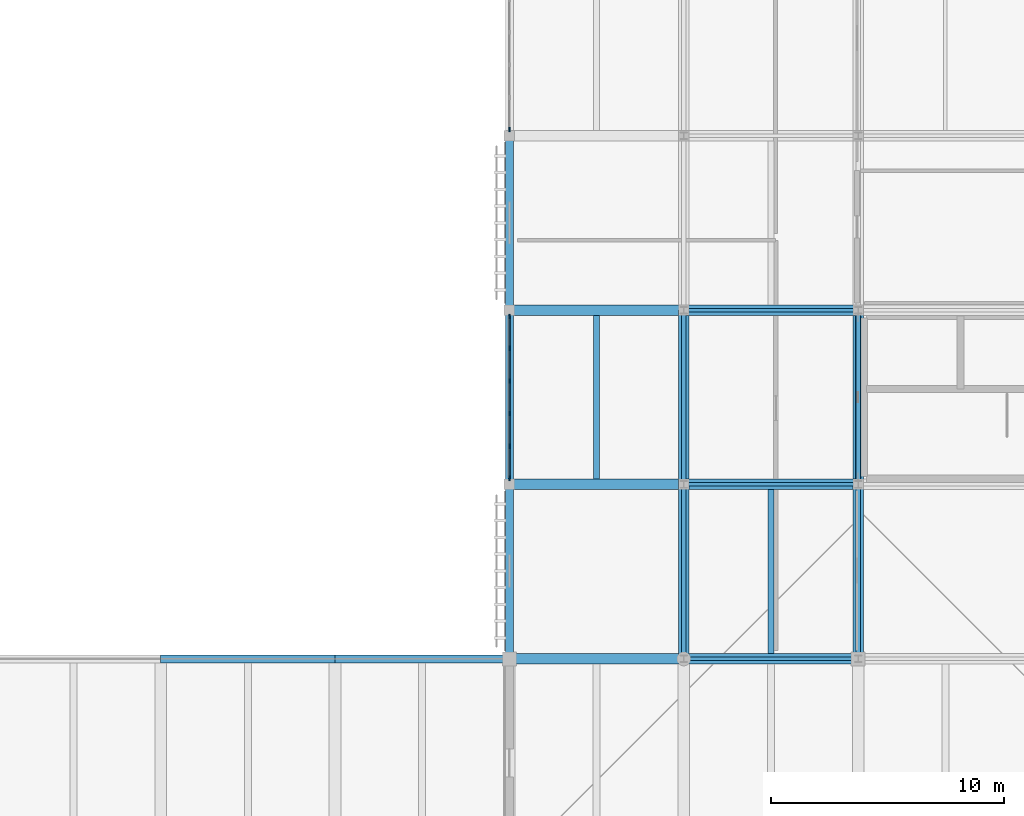
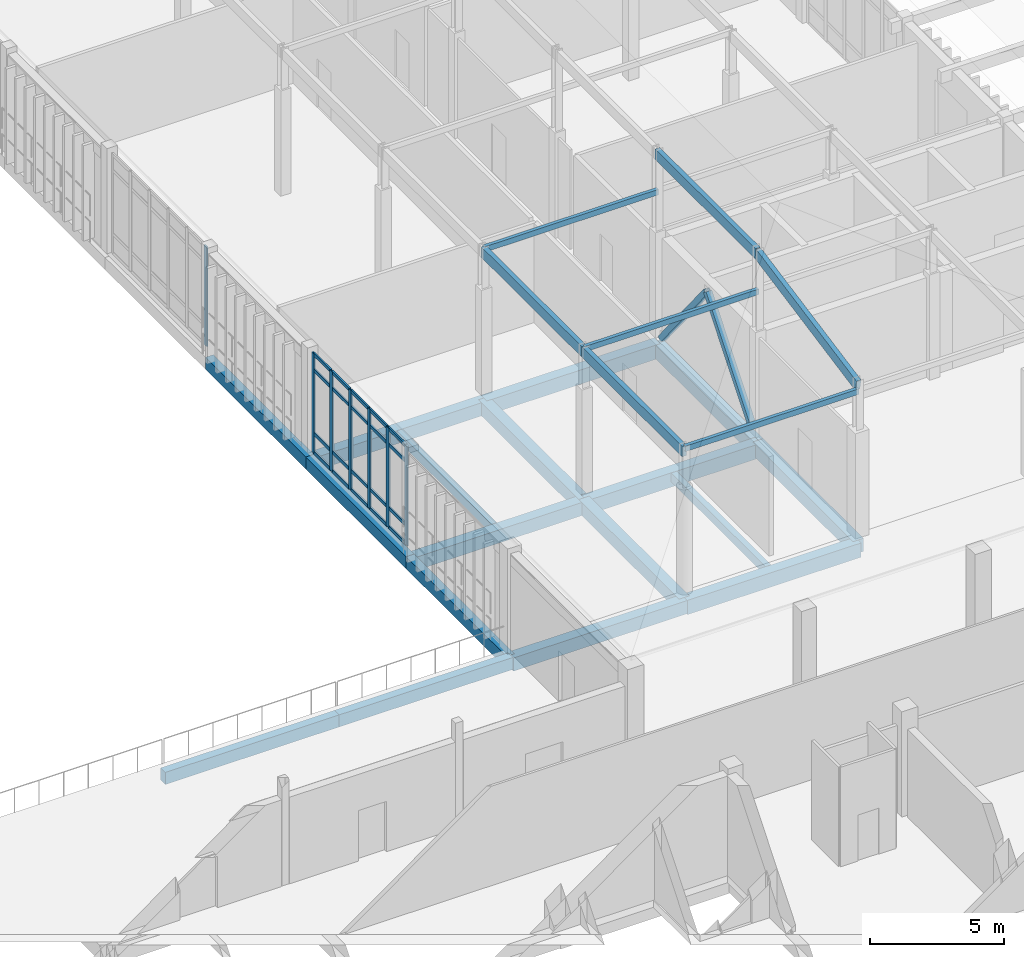
# One storey, part 66 of 131: 32 members, 21 beams, 2 elements without a shape of their own.
"""IFC4 building model written with IfcOpenShell, lengths in metres."""

from ifc_helpers import new_model, si_unit, direction, frame, origin, origin_2d, place, context, subcontext, project, spatial, rectangle, hollow_rectangle, extrude, material, layer, layer_set, material_profile, profile_set, type_object, element, aggregate, save


model = new_model("IFC4")

# Units and contexts
model_context = context("Model", 3, precision=1e-05, world=origin(), true_north=direction((0.0, 1.0)))
body_context = subcontext(model_context, "Body", "Model", "MODEL_VIEW")
ifc_project = project(units=[si_unit("LENGTHUNIT", "METRE"), si_unit("AREAUNIT", "SQUARE_METRE"), si_unit("VOLUMEUNIT", "CUBIC_METRE"), si_unit("PLANEANGLEUNIT", "RADIAN"), si_unit("MASSUNIT", "GRAM", prefix="KILO")], contexts=[model_context])

# Site, building, storey
site_placement = place(None, origin())
site = spatial("IfcSite", under=ifc_project, at=site_placement, CompositionType="ELEMENT")
building_placement = place(site_placement, origin())
building = spatial("IfcBuilding", under=site, at=building_placement, Name="Dalvernix Boulevard General Hospital", CompositionType="ELEMENT")
storey_placement = place(building_placement, frame((0.0, 0.0, 9.300048828125)))
storey = spatial("IfcBuildingStorey", under=building, at=storey_placement, Name="L02", CompositionType="ELEMENT", Elevation=9.300048828125)

# Beams
ifc_material_1 = material(Name="Concrete C35/45", Category="concrete")
ifc_material_profile_1 = material_profile(ifc_material_1, rectangle(XDim=0.449951171875, YDim=0.64990234375, at=origin_2d()), Name="RCB 450x650")
ifc_profile_set_1 = profile_set([ifc_material_profile_1], Name="Concrete C35/45")
beam_type_1 = type_object("IfcBeamType", Name="BM-B-03-I", PredefinedType="BEAM", material=ifc_profile_set_1)
for number, where, z_axis, x_axis, name in (
    (1, (150.0, 31.5, -0.64501953125), (1.0, 0.0, 0.0), (0.0, 1.0, 0.0), "L02 E-W girder E:21-22"),
    (2, (150.0, 39.0, -0.64501953125), (1.0, 0.0, 0.0), (0.0, 1.0, 0.0), "L02 E-W girder F:21-22"),
    (3, (150.0, 46.5, -0.64501953125), (1.0, 0.0, 0.0), (0.0, 1.0, 0.0), "L02 E-W girder G:21-22"),
):
    element("IfcBeam", number, at=place(storey_placement, frame(where, z_axis=z_axis, x_axis=x_axis)), inside=storey, type_object=beam_type_1, Name=name, PredefinedType="BEAM", context=body_context, shape_type="SweptSolid", body=[
        extrude(rectangle(XDim=0.449951171875, YDim=0.64990234375, at=origin_2d()), origin(), (0.0, 0.0, 1.0), 7.5),
    ])
ifc_material_profile_2 = material_profile(ifc_material_1, rectangle(XDim=0.449951171875, YDim=0.60009765625, at=origin_2d()), Name="RCB 450x600")
ifc_profile_set_2 = profile_set([ifc_material_profile_2], Name="Concrete C35/45")
beam_type_2 = type_object("IfcBeamType", Name="BM-B-04-I", PredefinedType="BEAM", material=ifc_profile_set_2)
for number, where, z_axis, x_axis, name in (
    (4, (142.5, 31.5, -0.6201171875), (1.0, 0.0, 0.0), (0.0, 1.0, 0.0), "L02 E-W girder E:20-21"),
    (5, (142.5, 39.0, -0.6201171875), (1.0, 0.0, 0.0), (0.0, 1.0, 0.0), "L02 E-W girder F:20-21"),
    (6, (142.5, 46.5, -0.6201171875), (1.0, 0.0, 0.0), (0.0, 1.0, 0.0), "L02 E-W girder G:20-21"),
    (7, (150.0, 31.5, -0.6201171875), (0.0, 1.0, 0.0), (-1.0, 0.0, 0.0), "L02 N-S girder 21:E-F"),
    (8, (150.0, 39.0, -0.6201171875), (0.0, 1.0, 0.0), (-1.0, 0.0, 0.0), "L02 N-S girder 21:F-G"),
    (9, (157.5, 31.5, -0.6201171875), (0.0, 1.0, 0.0), (-1.0, 0.0, 0.0), "L02 N-S girder 22:E-F"),
    (10, (157.5, 39.0, -0.6201171875), (0.0, 1.0, 0.0), (-1.0, 0.0, 0.0), "L02 N-S girder 22:F-G"),
):
    element("IfcBeam", number, at=place(storey_placement, frame(where, z_axis=z_axis, x_axis=x_axis)), inside=storey, type_object=beam_type_2, Name=name, PredefinedType="BEAM", context=body_context, shape_type="SweptSolid", body=[
        extrude(rectangle(XDim=0.449951171875, YDim=0.60009765625, at=origin_2d()), origin(), (0.0, 0.0, 1.0), 7.5),
    ])
ifc_material_2 = material(Name="Glulam GL28h", Category="wood")
ifc_material_profile_3 = material_profile(ifc_material_2, rectangle(XDim=0.199951171875, YDim=0.47998046875, at=origin_2d()), Name="GL28h 200x480")
ifc_profile_set_3 = profile_set([ifc_material_profile_3], Name="Glulam GL28h")
beam_type_3 = type_object("IfcBeamType", Name="BM-GB-T3", PredefinedType="JOIST", material=ifc_profile_set_3)
for number, where, z_axis, x_axis, name in (
    (11, (150.0, 31.5, 6.371826171875), (0.0, 1.0, 0.0), (-1.0, 0.0, 0.0), "V2 pitched glulam rafter 21:E-F"),
    (12, (150.0, 39.0, 6.371826171875), (0.0, 1.0, 0.0), (-1.0, 0.0, 0.0), "V2 pitched glulam rafter 21:F-G"),
):
    element("IfcBeam", number, at=place(storey_placement, frame(where, z_axis=z_axis, x_axis=x_axis)), inside=storey, type_object=beam_type_3, Name=name, PredefinedType="JOIST", context=body_context, shape_type="SweptSolid", body=[
        extrude(rectangle(XDim=0.199951171875, YDim=0.47998046875, at=origin_2d()), origin(), (0.0, 0.0, 1.0), 7.5),
    ])
beam_1_placement = place(storey_placement, frame((157.5, 31.5, 6.740234375), z_axis=(0.0, 0.981238462927, 0.192798026114), x_axis=(-1.0, 0.0, 0.0)))
element("IfcBeam", 13, at=beam_1_placement, inside=storey, type_object=beam_type_3, Name="V2 pitched glulam rafter 22:E-F", PredefinedType="JOIST", context=body_context, shape_type="SweptSolid", body=[
    extrude(rectangle(XDim=0.199951171875, YDim=0.47998046875, at=origin_2d()), origin(), (0.0, 0.0, 1.0), 7.643310546875),
])
beam_2_placement = place(storey_placement, frame((157.5, 39.0, 8.2138671875), z_axis=(0.0, 1.0, 0.0), x_axis=(-1.0, 0.0, 0.0)))
element("IfcBeam", 14, at=beam_2_placement, inside=storey, type_object=beam_type_3, Name="V2 pitched glulam rafter 22:F-G", PredefinedType="JOIST", context=body_context, shape_type="SweptSolid", body=[
    extrude(rectangle(XDim=0.199951171875, YDim=0.47998046875, at=origin_2d()), origin(), (0.0, 0.0, 1.0), 7.5),
])
ifc_material_profile_4 = material_profile(ifc_material_1, rectangle(XDim=0.25, YDim=0.39990234375, at=origin_2d()), Name="RCB 250x400")
ifc_profile_set_4 = profile_set([ifc_material_profile_4], Name="Concrete C35/45")
beam_type_4 = type_object("IfcBeamType", Name="BM-JB-02", PredefinedType="JOIST", material=ifc_profile_set_4)
for number, where, z_axis, x_axis, name in (
    (15, (146.25, 39.22509765625, -0.52001953125), (0.0, 1.0, 0.0), (-1.0, 0.0, 0.0), "L02 secondary floor beam 20-F"),
    (16, (153.75, 31.72509765625, -0.52001953125), (0.0, 1.0, 0.0), (-1.0, 0.0, 0.0), "L02 secondary floor beam 21-E"),
):
    element("IfcBeam", number, at=place(storey_placement, frame(where, z_axis=z_axis, x_axis=x_axis)), inside=storey, type_object=beam_type_4, Name=name, PredefinedType="JOIST", context=body_context, shape_type="SweptSolid", body=[
        extrude(rectangle(XDim=0.25, YDim=0.39990234375, at=origin_2d()), origin(), (0.0, 0.0, 1.0), 7.0498046875),
    ])
ifc_material_profile_5 = material_profile(ifc_material_1, rectangle(XDim=0.35009765625, YDim=0.550048828125, at=origin_2d()), Name="RCB 350x550")
ifc_profile_set_5 = profile_set([ifc_material_profile_5], Name="Concrete C35/45")
beam_type_5 = type_object("IfcBeamType", Name="BM-SB-01-E", PredefinedType="SPANDREL", material=ifc_profile_set_5)
for number, where, z_axis, x_axis, name in (
    (17, (127.5, 31.5, -0.594970703125), (1.0, 0.0, 0.0), (0.0, 1.0, 0.0), "L02 E-W girder E:18-19"),
    (18, (135.0, 31.5, -0.594970703125), (1.0, 0.0, 0.0), (0.0, 1.0, 0.0), "L02 E-W girder E:19-20"),
    (19, (142.5, 31.5, -0.594970703125), (0.0, 1.0, 0.0), (-1.0, 0.0, 0.0), "L02 N-S girder 20:E-F"),
    (20, (142.5, 39.0, -0.594970703125), (0.0, 1.0, 0.0), (-1.0, 0.0, 0.0), "L02 N-S girder 20:F-G"),
    (21, (142.5, 46.5, -0.594970703125), (0.0, 1.0, 0.0), (-1.0, 0.0, 0.0), "L02 N-S girder 20:G-H"),
):
    element("IfcBeam", number, at=place(storey_placement, frame(where, z_axis=z_axis, x_axis=x_axis)), inside=storey, type_object=beam_type_5, Name=name, PredefinedType="SPANDREL", context=body_context, shape_type="SweptSolid", body=[
        extrude(rectangle(XDim=0.35009765625, YDim=0.550048828125, at=origin_2d()), origin(), (0.0, 0.0, 1.0), 7.5),
    ])

# Members
ifc_material_3 = material(Name="Steel S355", Category="steel")
ifc_material_profile_6 = material_profile(ifc_material_3, hollow_rectangle(XDim=0.25, YDim=0.25, WallThickness=0.012451171875, at=origin_2d()), Name="SHS 250x250x12.5")
ifc_profile_set_6 = profile_set([ifc_material_profile_6], Name="Steel S355")
member_type_1 = type_object("IfcMemberType", Name="MEM-BR-03", PredefinedType="BRACE", material=ifc_profile_set_6)
for number, where, z_axis, x_axis, name in (
    (22, (157.5, 39.35009765625, 0.0), (0.0, 0.629191729997, 0.777250131491), (-1.0, 0.0, 0.0), "L02 braced frame chevron 3A"),
    (23, (157.5, 46.14990234375, 0.0), (0.0, -0.629191729997, 0.777250131491), (1.0, 0.0, 0.0), "L02 braced frame chevron 3B"),
):
    element("IfcMember", number, at=place(storey_placement, frame(where, z_axis=z_axis, x_axis=x_axis)), inside=storey, type_object=member_type_1, Name=name, PredefinedType="BRACE", context=body_context, shape_type="SweptSolid", body=[
        extrude(hollow_rectangle(XDim=0.25, YDim=0.25, WallThickness=0.012451171875, at=origin_2d()), origin(), (0.0, 0.0, 1.0), 5.403564453125),
    ])

# Curtain wall, member
ifc_material_4 = material(Name="Thermally broken aluminium and solar-control glass curtain wall", Category="aluminium")
ifc_layer_1 = layer(ifc_material_4, 0.179931640625)
ifc_layer_set_1 = layer_set([ifc_layer_1], Name="Thermally broken aluminium and solar-control glass curtain wall (CW-CW-B-70x46)")
curtain_wall_type_1 = type_object("IfcCurtainWallType", Name="CW-CW-B-70x46", PredefinedType="USERDEFINED", material=ifc_layer_set_1)
curtain_wall_1_placement = place(storey_placement, origin())
curtain_wall_1 = element("IfcCurtainWall", 24, at=curtain_wall_1_placement, inside=storey, type_object=curtain_wall_type_1, Name="L02 curtain wall CW-B-70x46 19-7", ObjectType="GLAZED FACADE", PredefinedType="USERDEFINED")
ifc_material_5 = material(Name="Aluminium EN AW-6060", Category="aluminium")
ifc_material_profile_7 = material_profile(ifc_material_5, rectangle(XDim=0.06494140625, YDim=0.179931640625, at=origin_2d()), Name="ALU MULL 65x180")
ifc_profile_set_7 = profile_set([ifc_material_profile_7], Name="Aluminium EN AW-6060")
member_type_2 = type_object("IfcMemberType", Name="MEM-CW-M2", PredefinedType="MULLION", material=ifc_profile_set_7)
member_1_placement = place(storey_placement, frame((142.5, 54.267578125, 0.0), z_axis=(0.0, 0.0, 1.0), x_axis=(-1.0, 0.0, 0.0)))
member_1 = element("IfcMember", 25, at=member_1_placement, type_object=member_type_2, Name="CW-B-70x46 mullion 1", PredefinedType="MULLION", context=body_context, shape_type="SweptSolid", body=[
    extrude(rectangle(XDim=0.06494140625, YDim=0.179931640625, at=origin_2d()), origin(), (0.0, 0.0, 1.0), 4.550048828125),
])
aggregate(curtain_wall_1, [member_1])

# Curtain wall, members
ifc_layer_2 = layer(ifc_material_4, 0.199951171875)
ifc_layer_set_2 = layer_set([ifc_layer_2], Name="Thermally broken aluminium and solar-control glass curtain wall (CW-CW-C-70x46)")
curtain_wall_type_2 = type_object("IfcCurtainWallType", Name="CW-CW-C-70x46", PredefinedType="USERDEFINED", material=ifc_layer_set_2)
curtain_wall_2_placement = place(storey_placement, origin())
curtain_wall_2 = element("IfcCurtainWall", 26, at=curtain_wall_2_placement, inside=storey, type_object=curtain_wall_type_2, Name="L02 curtain wall CW-C-70x46 19-5", ObjectType="GLAZED FACADE", PredefinedType="USERDEFINED")
ifc_material_profile_8 = material_profile(ifc_material_5, rectangle(XDim=0.070068359375, YDim=0.199951171875, at=origin_2d()), Name="ALU MULL 70x200")
ifc_profile_set_8 = profile_set([ifc_material_profile_8], Name="Aluminium EN AW-6060")
member_type_3 = type_object("IfcMemberType", Name="MEM-CW-M3", PredefinedType="MULLION", material=ifc_profile_set_8)
member_2_placement = place(storey_placement, frame((142.5, 39.27001953125, 0.0), z_axis=(0.0, 0.0, 1.0), x_axis=(-1.0, 0.0, 0.0)))
member_2 = element("IfcMember", 27, at=member_2_placement, type_object=member_type_3, Name="CW-C-70x46 mullion 1", PredefinedType="MULLION", context=body_context, shape_type="SweptSolid", body=[
    extrude(rectangle(XDim=0.070068359375, YDim=0.199951171875, at=origin_2d()), origin(), (0.0, 0.0, 1.0), 4.550048828125),
])
member_3_placement = place(storey_placement, frame((142.5, 40.64111328125, 0.0), z_axis=(0.0, 0.0, 1.0), x_axis=(-1.0, 0.0, 0.0)))
member_3 = element("IfcMember", 28, at=member_3_placement, type_object=member_type_3, Name="CW-C-70x46 mullion 2", PredefinedType="MULLION", context=body_context, shape_type="SweptSolid", body=[
    extrude(rectangle(XDim=0.070068359375, YDim=0.199951171875, at=origin_2d()), origin(), (0.0, 0.0, 1.0), 4.550048828125),
])
member_4_placement = place(storey_placement, frame((142.5, 42.047119140625, 0.0), z_axis=(0.0, 0.0, 1.0), x_axis=(-1.0, 0.0, 0.0)))
member_4 = element("IfcMember", 29, at=member_4_placement, type_object=member_type_3, Name="CW-C-70x46 mullion 3", PredefinedType="MULLION", context=body_context, shape_type="SweptSolid", body=[
    extrude(rectangle(XDim=0.070068359375, YDim=0.199951171875, at=origin_2d()), origin(), (0.0, 0.0, 1.0), 4.550048828125),
])
member_5_placement = place(storey_placement, frame((142.5, 43.452880859375, 0.0), z_axis=(0.0, 0.0, 1.0), x_axis=(-1.0, 0.0, 0.0)))
member_5 = element("IfcMember", 30, at=member_5_placement, type_object=member_type_3, Name="CW-C-70x46 mullion 4", PredefinedType="MULLION", context=body_context, shape_type="SweptSolid", body=[
    extrude(rectangle(XDim=0.070068359375, YDim=0.199951171875, at=origin_2d()), origin(), (0.0, 0.0, 1.0), 4.550048828125),
])
member_6_placement = place(storey_placement, frame((142.5, 44.85888671875, 0.0), z_axis=(0.0, 0.0, 1.0), x_axis=(-1.0, 0.0, 0.0)))
member_6 = element("IfcMember", 31, at=member_6_placement, type_object=member_type_3, Name="CW-C-70x46 mullion 5", PredefinedType="MULLION", context=body_context, shape_type="SweptSolid", body=[
    extrude(rectangle(XDim=0.070068359375, YDim=0.199951171875, at=origin_2d()), origin(), (0.0, 0.0, 1.0), 4.550048828125),
])
member_7_placement = place(storey_placement, frame((142.5, 46.22998046875, 0.0), z_axis=(0.0, 0.0, 1.0), x_axis=(-1.0, 0.0, 0.0)))
member_7 = element("IfcMember", 32, at=member_7_placement, type_object=member_type_3, Name="CW-C-70x46 mullion 6", PredefinedType="MULLION", context=body_context, shape_type="SweptSolid", body=[
    extrude(rectangle(XDim=0.070068359375, YDim=0.199951171875, at=origin_2d()), origin(), (0.0, 0.0, 1.0), 4.550048828125),
])
ifc_material_profile_9 = material_profile(ifc_material_5, rectangle(XDim=0.070068359375, YDim=0.14990234375, at=origin_2d()), Name="ALU TRAN 70x150")
ifc_profile_set_9 = profile_set([ifc_material_profile_9], Name="Aluminium EN AW-6060")
member_type_4 = type_object("IfcMemberType", Name="MEM-CW-T3", PredefinedType="USERDEFINED", material=ifc_profile_set_9)
member_8_placement = place(storey_placement, frame((142.5, 39.304931640625, 0.034912109375), z_axis=(0.0, 1.0, 0.0), x_axis=(-1.0, 0.0, 0.0)))
member_8 = element("IfcMember", 33, at=member_8_placement, type_object=member_type_4, Name="CW-C-70x46 transom 1.1", ObjectType="TRANSOM", PredefinedType="USERDEFINED", context=body_context, shape_type="SweptSolid", body=[
    extrude(rectangle(XDim=0.070068359375, YDim=0.14990234375, at=origin_2d()), origin(), (0.0, 0.0, 1.0), 1.301025390625),
])
member_9_placement = place(storey_placement, frame((142.5, 39.304931640625, 0.89990234375), z_axis=(0.0, 1.0, 0.0), x_axis=(-1.0, 0.0, 0.0)))
member_9 = element("IfcMember", 34, at=member_9_placement, type_object=member_type_4, Name="CW-C-70x46 transom 1.2", ObjectType="TRANSOM", PredefinedType="USERDEFINED", context=body_context, shape_type="SweptSolid", body=[
    extrude(rectangle(XDim=0.070068359375, YDim=0.14990234375, at=origin_2d()), origin(), (0.0, 0.0, 1.0), 1.301025390625),
])
member_10_placement = place(storey_placement, frame((142.5, 39.304931640625, 3.800048828125), z_axis=(0.0, 1.0, 0.0), x_axis=(-1.0, 0.0, 0.0)))
member_10 = element("IfcMember", 35, at=member_10_placement, type_object=member_type_4, Name="CW-C-70x46 transom 1.3", ObjectType="TRANSOM", PredefinedType="USERDEFINED", context=body_context, shape_type="SweptSolid", body=[
    extrude(rectangle(XDim=0.070068359375, YDim=0.14990234375, at=origin_2d()), origin(), (0.0, 0.0, 1.0), 1.301025390625),
])
member_11_placement = place(storey_placement, frame((142.5, 39.304931640625, 4.514892578125), z_axis=(0.0, 1.0, 0.0), x_axis=(-1.0, 0.0, 0.0)))
member_11 = element("IfcMember", 36, at=member_11_placement, type_object=member_type_4, Name="CW-C-70x46 transom 1.4", ObjectType="TRANSOM", PredefinedType="USERDEFINED", context=body_context, shape_type="SweptSolid", body=[
    extrude(rectangle(XDim=0.070068359375, YDim=0.14990234375, at=origin_2d()), origin(), (0.0, 0.0, 1.0), 1.301025390625),
])
member_12_placement = place(storey_placement, frame((142.5, 40.676025390625, 0.034912109375), z_axis=(0.0, 1.0, 0.0), x_axis=(-1.0, 0.0, 0.0)))
member_12 = element("IfcMember", 37, at=member_12_placement, type_object=member_type_4, Name="CW-C-70x46 transom 2.1", ObjectType="TRANSOM", PredefinedType="USERDEFINED", context=body_context, shape_type="SweptSolid", body=[
    extrude(rectangle(XDim=0.070068359375, YDim=0.14990234375, at=origin_2d()), origin(), (0.0, 0.0, 1.0), 1.3359375),
])
member_13_placement = place(storey_placement, frame((142.5, 40.676025390625, 0.89990234375), z_axis=(0.0, 1.0, 0.0), x_axis=(-1.0, 0.0, 0.0)))
member_13 = element("IfcMember", 38, at=member_13_placement, type_object=member_type_4, Name="CW-C-70x46 transom 2.2", ObjectType="TRANSOM", PredefinedType="USERDEFINED", context=body_context, shape_type="SweptSolid", body=[
    extrude(rectangle(XDim=0.070068359375, YDim=0.14990234375, at=origin_2d()), origin(), (0.0, 0.0, 1.0), 1.3359375),
])
member_14_placement = place(storey_placement, frame((142.5, 40.676025390625, 3.800048828125), z_axis=(0.0, 1.0, 0.0), x_axis=(-1.0, 0.0, 0.0)))
member_14 = element("IfcMember", 39, at=member_14_placement, type_object=member_type_4, Name="CW-C-70x46 transom 2.3", ObjectType="TRANSOM", PredefinedType="USERDEFINED", context=body_context, shape_type="SweptSolid", body=[
    extrude(rectangle(XDim=0.070068359375, YDim=0.14990234375, at=origin_2d()), origin(), (0.0, 0.0, 1.0), 1.3359375),
])
member_15_placement = place(storey_placement, frame((142.5, 40.676025390625, 4.514892578125), z_axis=(0.0, 1.0, 0.0), x_axis=(-1.0, 0.0, 0.0)))
member_15 = element("IfcMember", 40, at=member_15_placement, type_object=member_type_4, Name="CW-C-70x46 transom 2.4", ObjectType="TRANSOM", PredefinedType="USERDEFINED", context=body_context, shape_type="SweptSolid", body=[
    extrude(rectangle(XDim=0.070068359375, YDim=0.14990234375, at=origin_2d()), origin(), (0.0, 0.0, 1.0), 1.3359375),
])
member_16_placement = place(storey_placement, frame((142.5, 42.08203125, 0.034912109375), z_axis=(0.0, 1.0, 0.0), x_axis=(-1.0, 0.0, 0.0)))
member_16 = element("IfcMember", 41, at=member_16_placement, type_object=member_type_4, Name="CW-C-70x46 transom 3.1", ObjectType="TRANSOM", PredefinedType="USERDEFINED", context=body_context, shape_type="SweptSolid", body=[
    extrude(rectangle(XDim=0.070068359375, YDim=0.14990234375, at=origin_2d()), origin(), (0.0, 0.0, 1.0), 1.3359375),
])
member_17_placement = place(storey_placement, frame((142.5, 42.08203125, 0.89990234375), z_axis=(0.0, 1.0, 0.0), x_axis=(-1.0, 0.0, 0.0)))
member_17 = element("IfcMember", 42, at=member_17_placement, type_object=member_type_4, Name="CW-C-70x46 transom 3.2", ObjectType="TRANSOM", PredefinedType="USERDEFINED", context=body_context, shape_type="SweptSolid", body=[
    extrude(rectangle(XDim=0.070068359375, YDim=0.14990234375, at=origin_2d()), origin(), (0.0, 0.0, 1.0), 1.3359375),
])
member_18_placement = place(storey_placement, frame((142.5, 42.08203125, 3.800048828125), z_axis=(0.0, 1.0, 0.0), x_axis=(-1.0, 0.0, 0.0)))
member_18 = element("IfcMember", 43, at=member_18_placement, type_object=member_type_4, Name="CW-C-70x46 transom 3.3", ObjectType="TRANSOM", PredefinedType="USERDEFINED", context=body_context, shape_type="SweptSolid", body=[
    extrude(rectangle(XDim=0.070068359375, YDim=0.14990234375, at=origin_2d()), origin(), (0.0, 0.0, 1.0), 1.3359375),
])
member_19_placement = place(storey_placement, frame((142.5, 42.08203125, 4.514892578125), z_axis=(0.0, 1.0, 0.0), x_axis=(-1.0, 0.0, 0.0)))
member_19 = element("IfcMember", 44, at=member_19_placement, type_object=member_type_4, Name="CW-C-70x46 transom 3.4", ObjectType="TRANSOM", PredefinedType="USERDEFINED", context=body_context, shape_type="SweptSolid", body=[
    extrude(rectangle(XDim=0.070068359375, YDim=0.14990234375, at=origin_2d()), origin(), (0.0, 0.0, 1.0), 1.3359375),
])
member_20_placement = place(storey_placement, frame((142.5, 43.488037109375, 0.034912109375), z_axis=(0.0, 1.0, 0.0), x_axis=(-1.0, 0.0, 0.0)))
member_20 = element("IfcMember", 45, at=member_20_placement, type_object=member_type_4, Name="CW-C-70x46 transom 4.1", ObjectType="TRANSOM", PredefinedType="USERDEFINED", context=body_context, shape_type="SweptSolid", body=[
    extrude(rectangle(XDim=0.070068359375, YDim=0.14990234375, at=origin_2d()), origin(), (0.0, 0.0, 1.0), 1.3359375),
])
member_21_placement = place(storey_placement, frame((142.5, 43.488037109375, 0.89990234375), z_axis=(0.0, 1.0, 0.0), x_axis=(-1.0, 0.0, 0.0)))
member_21 = element("IfcMember", 46, at=member_21_placement, type_object=member_type_4, Name="CW-C-70x46 transom 4.2", ObjectType="TRANSOM", PredefinedType="USERDEFINED", context=body_context, shape_type="SweptSolid", body=[
    extrude(rectangle(XDim=0.070068359375, YDim=0.14990234375, at=origin_2d()), origin(), (0.0, 0.0, 1.0), 1.3359375),
])
member_22_placement = place(storey_placement, frame((142.5, 43.488037109375, 3.800048828125), z_axis=(0.0, 1.0, 0.0), x_axis=(-1.0, 0.0, 0.0)))
member_22 = element("IfcMember", 47, at=member_22_placement, type_object=member_type_4, Name="CW-C-70x46 transom 4.3", ObjectType="TRANSOM", PredefinedType="USERDEFINED", context=body_context, shape_type="SweptSolid", body=[
    extrude(rectangle(XDim=0.070068359375, YDim=0.14990234375, at=origin_2d()), origin(), (0.0, 0.0, 1.0), 1.3359375),
])
member_23_placement = place(storey_placement, frame((142.5, 43.488037109375, 4.514892578125), z_axis=(0.0, 1.0, 0.0), x_axis=(-1.0, 0.0, 0.0)))
member_23 = element("IfcMember", 48, at=member_23_placement, type_object=member_type_4, Name="CW-C-70x46 transom 4.4", ObjectType="TRANSOM", PredefinedType="USERDEFINED", context=body_context, shape_type="SweptSolid", body=[
    extrude(rectangle(XDim=0.070068359375, YDim=0.14990234375, at=origin_2d()), origin(), (0.0, 0.0, 1.0), 1.3359375),
])
member_24_placement = place(storey_placement, frame((142.5, 44.89404296875, 0.034912109375), z_axis=(0.0, 1.0, 0.0), x_axis=(-1.0, 0.0, 0.0)))
member_24 = element("IfcMember", 49, at=member_24_placement, type_object=member_type_4, Name="CW-C-70x46 transom 5.1", ObjectType="TRANSOM", PredefinedType="USERDEFINED", context=body_context, shape_type="SweptSolid", body=[
    extrude(rectangle(XDim=0.070068359375, YDim=0.14990234375, at=origin_2d()), origin(), (0.0, 0.0, 1.0), 1.301025390625),
])
member_25_placement = place(storey_placement, frame((142.5, 44.89404296875, 0.89990234375), z_axis=(0.0, 1.0, 0.0), x_axis=(-1.0, 0.0, 0.0)))
member_25 = element("IfcMember", 50, at=member_25_placement, type_object=member_type_4, Name="CW-C-70x46 transom 5.2", ObjectType="TRANSOM", PredefinedType="USERDEFINED", context=body_context, shape_type="SweptSolid", body=[
    extrude(rectangle(XDim=0.070068359375, YDim=0.14990234375, at=origin_2d()), origin(), (0.0, 0.0, 1.0), 1.301025390625),
])
member_26_placement = place(storey_placement, frame((142.5, 44.89404296875, 3.800048828125), z_axis=(0.0, 1.0, 0.0), x_axis=(-1.0, 0.0, 0.0)))
member_26 = element("IfcMember", 51, at=member_26_placement, type_object=member_type_4, Name="CW-C-70x46 transom 5.3", ObjectType="TRANSOM", PredefinedType="USERDEFINED", context=body_context, shape_type="SweptSolid", body=[
    extrude(rectangle(XDim=0.070068359375, YDim=0.14990234375, at=origin_2d()), origin(), (0.0, 0.0, 1.0), 1.301025390625),
])
member_27_placement = place(storey_placement, frame((142.5, 44.89404296875, 4.514892578125), z_axis=(0.0, 1.0, 0.0), x_axis=(-1.0, 0.0, 0.0)))
member_27 = element("IfcMember", 52, at=member_27_placement, type_object=member_type_4, Name="CW-C-70x46 transom 5.4", ObjectType="TRANSOM", PredefinedType="USERDEFINED", context=body_context, shape_type="SweptSolid", body=[
    extrude(rectangle(XDim=0.070068359375, YDim=0.14990234375, at=origin_2d()), origin(), (0.0, 0.0, 1.0), 1.301025390625),
])
aggregate(curtain_wall_2, [member_2, member_3, member_4, member_5, member_6, member_7, member_8, member_9, member_10, member_11, member_12, member_13, member_14, member_15, member_16, member_17, member_18, member_19, member_20, member_21, member_22, member_23, member_24, member_25, member_26, member_27])

# Members
ifc_material_profile_10 = material_profile(ifc_material_3, hollow_rectangle(XDim=0.14990234375, YDim=0.25, WallThickness=0.010009765625, at=origin_2d()), Name="RHS 250x150x10.0")
ifc_profile_set_10 = profile_set([ifc_material_profile_10], Name="Steel S355")
member_type_5 = type_object("IfcMemberType", Name="MEM-PR-04", PredefinedType="PURLIN", material=ifc_profile_set_10)
for number, where, z_axis, x_axis, name in (
    (53, (150.0, 31.5, 6.496826171875), (1.0, 0.0, 0.0), (0.0, 1.0, 0.0), "V2 attic purlin 21-22:E"),
    (54, (150.0, 39.0, 6.496826171875), (1.0, 0.0, 0.0), (0.0, 1.0, 0.0), "V2 attic purlin 21-22:F"),
    (55, (150.0, 46.5, 6.496826171875), (1.0, 0.0, 0.0), (0.0, 1.0, 0.0), "V2 attic purlin 21-22:G"),
):
    element("IfcMember", number, at=place(storey_placement, frame(where, z_axis=z_axis, x_axis=x_axis)), inside=storey, type_object=member_type_5, Name=name, PredefinedType="PURLIN", context=body_context, shape_type="SweptSolid", body=[
        extrude(hollow_rectangle(XDim=0.14990234375, YDim=0.25, WallThickness=0.010009765625, at=origin_2d()), origin(), (0.0, 0.0, 1.0), 7.5),
    ])

save(model, "model.ifc")
